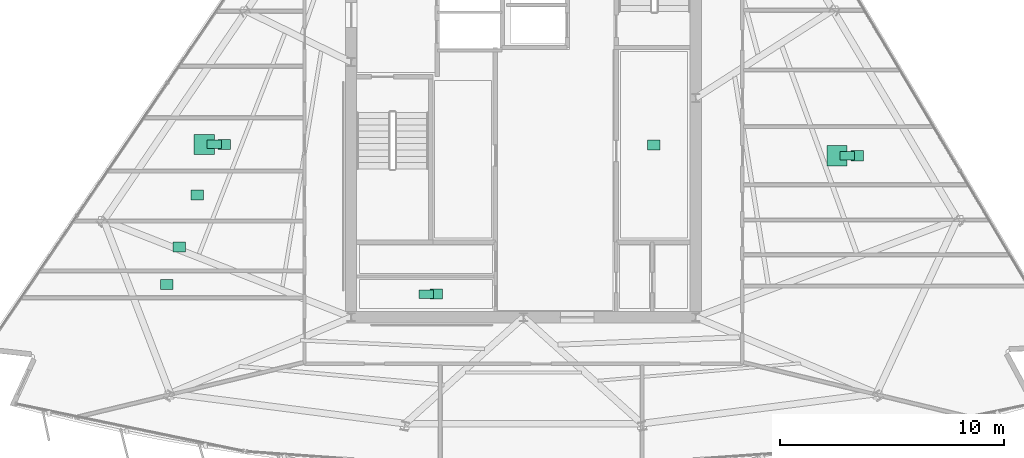
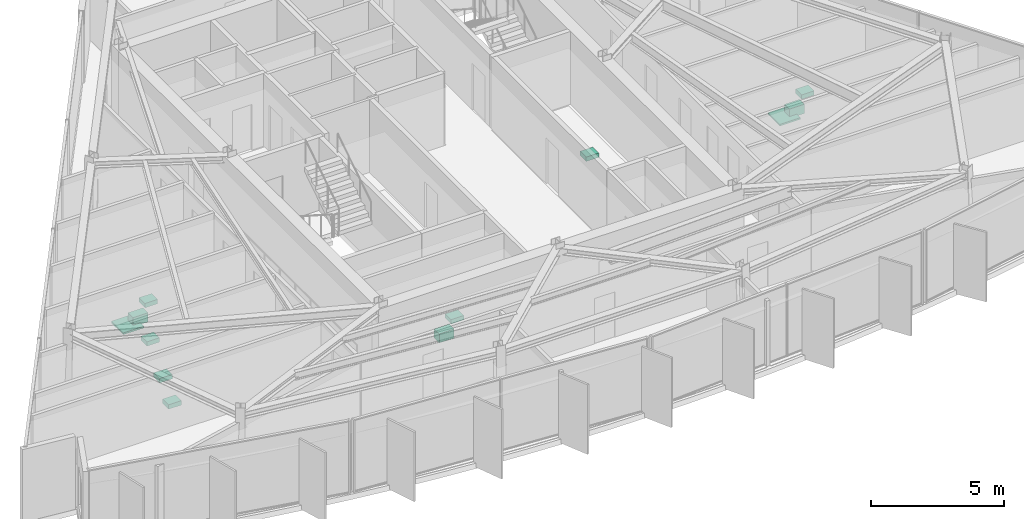
# One storey, part 13 of 13: 12 sanitary terminals.
"""IFC4 building model written with IfcOpenShell, lengths in metres."""

from ifc_helpers import new_model, si_unit, direction, frame, origin, origin_2d, place, context, subcontext, project, spatial, rectangle, extrude, material, type_object, element, save


model = new_model("IFC4")

# Units and contexts
model_context = context("Model", 3, precision=1e-05, world=origin(), true_north=direction((0.0, 1.0)))
body_context = subcontext(model_context, "Body", "Model", "MODEL_VIEW")
ifc_project = project(units=[si_unit("LENGTHUNIT", "METRE"), si_unit("AREAUNIT", "SQUARE_METRE"), si_unit("VOLUMEUNIT", "CUBIC_METRE"), si_unit("PLANEANGLEUNIT", "RADIAN"), si_unit("MASSUNIT", "GRAM", prefix="KILO")], contexts=[model_context])

# Site, building, storey
site_placement = place(None, origin())
site = spatial("IfcSite", under=ifc_project, at=site_placement, CompositionType="ELEMENT")
building_placement = place(site_placement, origin())
building = spatial("IfcBuilding", under=site, at=building_placement, Name="Savorim Split Tower", CompositionType="ELEMENT")
storey_placement = place(building_placement, frame((0.0, 0.0, 254.39990234375)))
storey = spatial("IfcBuildingStorey", under=building, at=storey_placement, Name="L67", CompositionType="ELEMENT", Elevation=254.39990234375)

# Sanitary terminals
ifc_material = material(Name="Vitreous China Sanitaryware")
sanitary_terminal_type_1 = type_object("IfcSanitaryTerminalType", Name="SAN-SHW-900", PredefinedType="SHOWER", material=ifc_material)
for number, where, z_axis, x_axis, name in (
    (1, (-14.2626953125, -1.6826171875, 0.0), (0.0, 0.0, 1.0), (1.0, 0.0, 0.0), "L67 Shared Bathroom Shower"),
    (2, (14.013916015625, -2.185302734375, 0.0), (0.0, 0.0, 1.0), (1.0, 0.0, 0.0), "L67 Shared Bathroom Shower"),
):
    element("IfcSanitaryTerminal", number, at=place(storey_placement, frame(where, z_axis=z_axis, x_axis=x_axis)), inside=storey, type_object=sanitary_terminal_type_1, Name=name, PredefinedType="SHOWER", context=body_context, shape_type="SweptSolid", body=[
        extrude(rectangle(XDim=0.89990234375, YDim=0.89990234375, at=origin_2d()), origin(), (0.0, 0.0, 1.0), 0.080078125),
    ])
sanitary_terminal_type_2 = type_object("IfcSanitaryTerminalType", Name="SAN-WC-PAN", PredefinedType="TOILETPAN", material=ifc_material)
for number, where, z_axis, x_axis, name in (
    (3, (-4.35009765625, -8.3701171875, 0.000244140625), (0.0, 0.0, 1.0), (1.0, 0.0, 0.0), "L67 Public WC WC Pan"),
    (4, (-13.812744140625, -1.6826171875, 0.000244140625), (0.0, 0.0, 1.0), (1.0, 0.0, 0.0), "L67 Shared Bathroom WC Pan"),
    (5, (14.4638671875, -2.185302734375, 0.000244140625), (0.0, 0.0, 1.0), (1.0, 0.0, 0.0), "L67 Shared Bathroom WC Pan"),
):
    element("IfcSanitaryTerminal", number, at=place(storey_placement, frame(where, z_axis=z_axis, x_axis=x_axis)), inside=storey, type_object=sanitary_terminal_type_2, Name=name, PredefinedType="TOILETPAN", context=body_context, shape_type="SweptSolid", body=[
        extrude(rectangle(XDim=0.64990234375, YDim=0.3798828125, at=origin_2d()), origin(), (0.0, 0.0, 1.0), 0.419921875),
    ])
sanitary_terminal_type_3 = type_object("IfcSanitaryTerminalType", Name="SAN-WHB-550", PredefinedType="WASHHANDBASIN", material=ifc_material)
for number, where, z_axis, x_axis, name in (
    (6, (5.824951171875, -1.699951171875, 0.75), (0.0, 0.0, 1.0), (1.0, 0.0, 0.0), "L67 Community Laundry Room Utility Sink"),
    (7, (-3.89990234375, -8.3701171875, 0.72021484375), (0.0, 0.0, 1.0), (1.0, 0.0, 0.0), "L67 Public WC Washhand Basin"),
    (8, (-13.36279296875, -1.6826171875, 0.72021484375), (0.0, 0.0, 1.0), (1.0, 0.0, 0.0), "L67 Shared Bathroom Washhand Basin"),
    (9, (-14.580078125, -3.938720703125, 0.75), (0.0, 0.0, 1.0), (1.0, 0.0, 0.0), "L67 Shared Kitchen Utility Sink"),
    (10, (-15.372802734375, -6.269287109375, 0.75), (0.0, 0.0, 1.0), (1.0, 0.0, 0.0), "L67 Shared Kitchen Utility Sink"),
    (11, (-15.93798828125, -7.930908203125, 0.75), (0.0, 0.0, 1.0), (1.0, 0.0, 0.0), "L67 Community Laundry Room Utility Sink"),
    (12, (14.913818359375, -2.185302734375, 0.72021484375), (0.0, 0.0, 1.0), (1.0, 0.0, 0.0), "L67 Shared Bathroom Washhand Basin"),
):
    element("IfcSanitaryTerminal", number, at=place(storey_placement, frame(where, z_axis=z_axis, x_axis=x_axis)), inside=storey, type_object=sanitary_terminal_type_3, Name=name, PredefinedType="WASHHANDBASIN", context=body_context, shape_type="SweptSolid", body=[
        extrude(rectangle(XDim=0.550048828125, YDim=0.449951171875, at=origin_2d()), origin(), (0.0, 0.0, 1.0), 0.199951171875),
    ])

save(model, "model.ifc")
